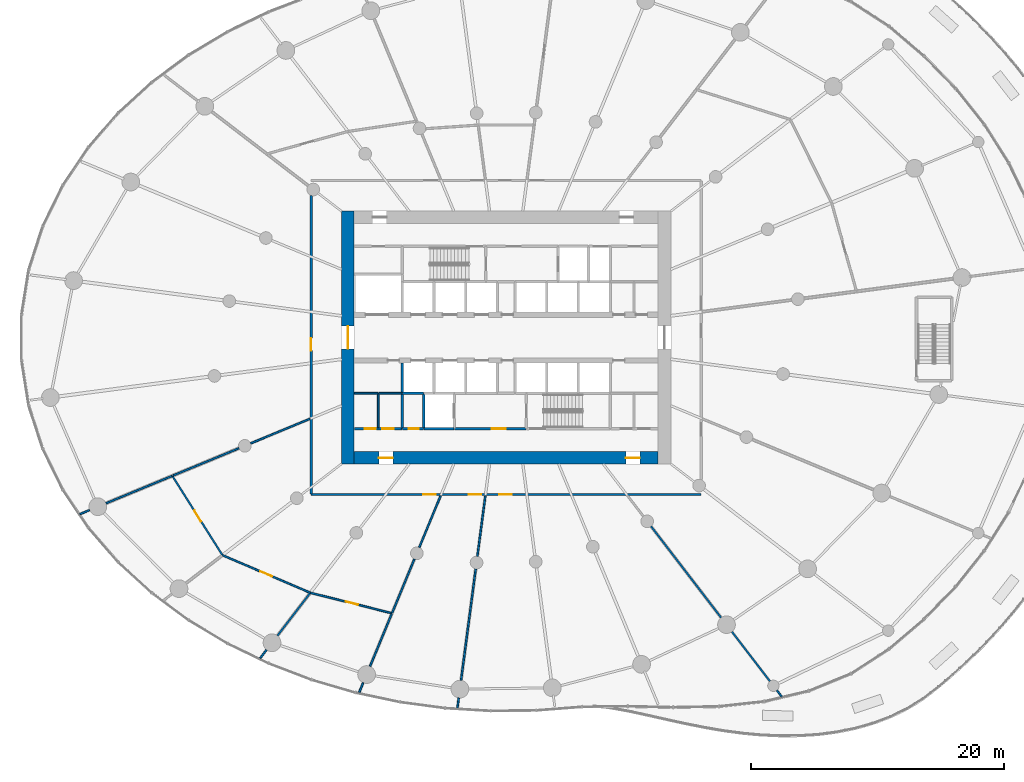
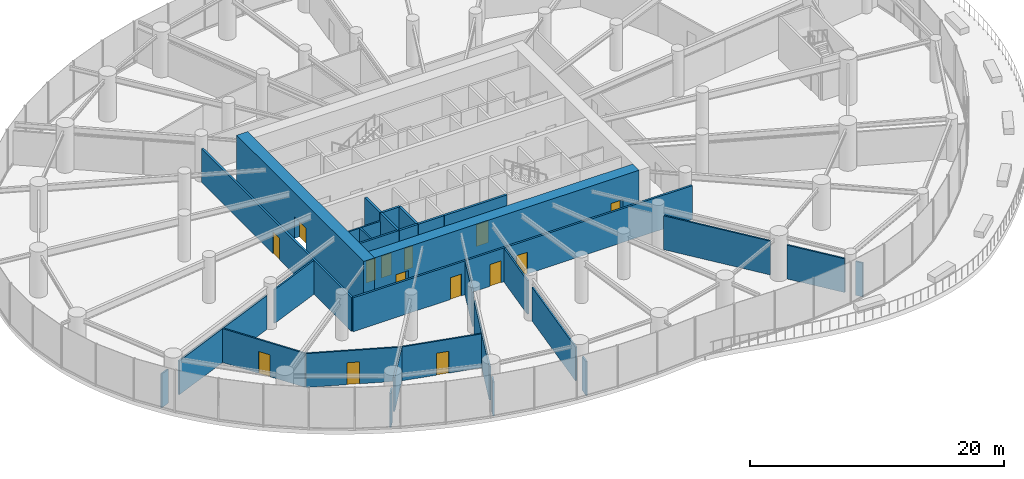
# One storey, part 11 of 19: 34 walls, 14 doors, 14 openings.
"""IFC4 building model written with IfcOpenShell, lengths in metres."""

from ifc_helpers import new_model, si_unit, direction, frame, frame_2d, origin, place, context, subcontext, project, spatial, rectangle, extrude, source, transform, mapped, material, layer, layer_set, type_object, element, fill, save


model = new_model("IFC4")

# Units and contexts
model_context = context("Model", 3, precision=1e-05, world=origin(), true_north=direction((0.0, 1.0)))
body_context = subcontext(model_context, "Body", "Model", "MODEL_VIEW")
ifc_project = project(units=[si_unit("LENGTHUNIT", "METRE"), si_unit("AREAUNIT", "SQUARE_METRE"), si_unit("VOLUMEUNIT", "CUBIC_METRE"), si_unit("PLANEANGLEUNIT", "RADIAN"), si_unit("MASSUNIT", "GRAM", prefix="KILO")], contexts=[model_context])

# Site, building, storey
site_placement = place(None, origin())
site = spatial("IfcSite", under=ifc_project, at=site_placement, CompositionType="ELEMENT")
building_placement = place(site_placement, origin())
building = spatial("IfcBuilding", under=site, at=building_placement, Name="Spindrift Exchange Tower", CompositionType="ELEMENT")
storey_placement = place(building_placement, frame((0.0, 0.0, 13.800048828125)))
storey = spatial("IfcBuildingStorey", under=building, at=storey_placement, Name="L03", CompositionType="ELEMENT", Elevation=13.800048828125)

# Wall, opening, door
ifc_material_1 = material(Name="Concrete 80 MPa", Category="concrete")
ifc_layer_1 = layer(ifc_material_1, 1.0)
ifc_layer_set_1 = layer_set([ifc_layer_1], Name="RC Core Wall 1000 Concrete 80 MPa")
wall_type_1 = type_object("IfcWallType", Name="RC Core Wall 1000 Concrete 80 MPa", PredefinedType="SHEAR", material=ifc_layer_set_1)
wall_1_placement = place(storey_placement, frame((39.5, 58.0, 0.0), z_axis=(0.0, 0.0, 1.0), x_axis=(0.0, -1.0, 0.0)))
wall_1 = element("IfcWall", 1, at=wall_1_placement, inside=storey, type_object=wall_type_1, Name="Core wall W L03", PredefinedType="SHEAR", context=body_context, shape_type="SweptSolid", body=[
    extrude(rectangle(XDim=20.0, YDim=1.0, at=frame_2d((10.0, 0.0))), origin(), (0.0, 0.0, 1.0), 4.39990234375),
])
opening_1_placement = place(wall_1_placement, frame((9.10009765625, 0.0, 0.0)))
opening_1 = element("IfcOpeningElement", 2, at=opening_1_placement, cuts=wall_1, Name="Opening L03-D1", PredefinedType="OPENING", context=body_context, shape_type="SweptSolid", body=[
    extrude(rectangle(XDim=1.800048828125, YDim=2.10009765625, at=frame_2d((0.89990234375, 1.050048828125))), frame((0.0, 0.510009765625, 0.0), z_axis=(0.0, -1.0, 0.0), x_axis=(1.0, 0.0, 0.0)), (0.0, 0.0, 1.0), 1.02001953125),
])
ifc_material_2 = material(Name="Timber-core fire door", Category="wood")
door_type_1 = type_object("IfcDoorType", Name="DR-LOBBY-1800", OperationType="NOTDEFINED", PredefinedType="DOOR", material=ifc_material_2)
shared_shape_1 = source(origin(), body_context, "Body", "SweptSolid", [
    extrude(rectangle(XDim=1.800048828125, YDim=2.10009765625, at=frame_2d((0.89990234375, 1.050048828125))), frame((0.0, 0.02490234375, 0.0), z_axis=(0.0, -1.0, 0.0), x_axis=(1.0, 0.0, 0.0)), (0.0, 0.0, 1.0), 0.050048828125),
])
door_1_placement = place(opening_1_placement, origin())
door_1 = element("IfcDoor", 3, at=door_1_placement, inside=storey, type_object=door_type_1, Name="L03 Lobby door 1", OperationType="SINGLE_SWING_LEFT", OverallHeight=2.10009765625, OverallWidth=1.800048828125, PredefinedType="DOOR", context=body_context, shape_type="MappedRepresentation", body=[
    mapped(shared_shape_1, transform((0.0, 0.0, 0.0), scale=1.0)),
])
fill(opening_1, door_1)

# Wall, openings, doors
wall_2_placement = place(storey_placement, frame((40.0, 38.5, 0.0), z_axis=(0.0, 0.0, 1.0), x_axis=(1.0, 0.0, 0.0)))
wall_2 = element("IfcWall", 4, at=wall_2_placement, inside=storey, type_object=wall_type_1, Name="Core wall S L03", PredefinedType="SHEAR", context=body_context, shape_type="SweptSolid", body=[
    extrude(rectangle(XDim=24.0, YDim=1.0, at=frame_2d((12.0, 0.0))), origin(), (0.0, 0.0, 1.0), 4.39990234375),
])
opening_2_placement = place(wall_2_placement, frame((21.449951171875, 0.0, 0.0)))
opening_2 = element("IfcOpeningElement", 5, at=opening_2_placement, cuts=wall_2, Name="Opening L03-D22", PredefinedType="OPENING", context=body_context, shape_type="SweptSolid", body=[
    extrude(rectangle(XDim=1.10009765625, YDim=2.10009765625, at=frame_2d((0.550048828125, 1.050048828125))), frame((0.0, 0.510009765625, 0.0), z_axis=(0.0, -1.0, 0.0), x_axis=(1.0, 0.0, 0.0)), (0.0, 0.0, 1.0), 1.02001953125),
])
opening_3_placement = place(wall_2_placement, frame((1.949951171875, 0.0, 0.0)))
opening_3 = element("IfcOpeningElement", 6, at=opening_3_placement, cuts=wall_2, Name="Opening L03-D23", PredefinedType="OPENING", context=body_context, shape_type="SweptSolid", body=[
    extrude(rectangle(XDim=1.10009765625, YDim=2.10009765625, at=frame_2d((0.550048828125, 1.050048828125))), frame((0.0, 0.510009765625, 0.0), z_axis=(0.0, -1.0, 0.0), x_axis=(1.0, 0.0, 0.0)), (0.0, 0.0, 1.0), 1.02001953125),
])
ifc_material_3 = material(Name="Steel fire door", Category="steel")
door_type_2 = type_object("IfcDoorType", Name="DR-STAIR-1100", OperationType="NOTDEFINED", PredefinedType="DOOR", material=ifc_material_3)
shared_shape_2 = source(origin(), body_context, "Body", "SweptSolid", [
    extrude(rectangle(XDim=1.10009765625, YDim=2.10009765625, at=frame_2d((0.550048828125, 1.050048828125))), frame((0.0, 0.02490234375, 0.0), z_axis=(0.0, -1.0, 0.0), x_axis=(1.0, 0.0, 0.0)), (0.0, 0.0, 1.0), 0.050048828125),
])
door_2_placement = place(opening_2_placement, origin())
door_2 = element("IfcDoor", 7, at=door_2_placement, inside=storey, type_object=door_type_2, Name="L03 Stair door 22", OperationType="SINGLE_SWING_RIGHT", OverallHeight=2.10009765625, OverallWidth=1.10009765625, PredefinedType="DOOR", context=body_context, shape_type="MappedRepresentation", body=[
    mapped(shared_shape_2, transform((0.0, 0.0, 0.0), scale=1.0)),
])
fill(opening_2, door_2)
door_3_placement = place(opening_3_placement, origin())
door_3 = element("IfcDoor", 8, at=door_3_placement, inside=storey, type_object=door_type_2, Name="L03 Stair door 23", OperationType="SINGLE_SWING_LEFT", OverallHeight=2.10009765625, OverallWidth=1.10009765625, PredefinedType="DOOR", context=body_context, shape_type="MappedRepresentation", body=[
    mapped(shared_shape_2, transform((0.0, 0.0, 0.0), scale=1.0)),
])
fill(opening_3, door_3)

ifc_material_4 = material(Name="Fire-rated plasterboard partition", Category="gypsum")
ifc_layer_2 = layer(ifc_material_4, 0.179931640625)
ifc_layer_set_2 = layer_set([ifc_layer_2], Name="W-CORR-180")
wall_type_2 = type_object("IfcWallType", Name="W-CORR-180", PredefinedType="PARTITIONING", material=ifc_layer_set_2)
wall_3_placement = place(storey_placement, frame((40.02001953125, 40.800048828125, 0.0), z_axis=(0.0, 0.0, 1.0), x_axis=(1.0, 0.0, 0.0)))
wall_3 = element("IfcWall", 9, at=wall_3_placement, inside=storey, type_object=wall_type_2, Name="L03 Partition wall 65", PredefinedType="PARTITIONING", context=body_context, shape_type="SweptSolid", body=[
    extrude(rectangle(XDim=3.75, YDim=0.179931640625, at=frame_2d((1.875, 0.0))), origin(), (0.0, 0.0, 1.0), 4.050048828125),
])
opening_4_placement = place(wall_3_placement, frame((0.800048828125, 0.0, 0.0)))
opening_4 = element("IfcOpeningElement", 10, at=opening_4_placement, cuts=wall_3, Name="Opening L03-D43", PredefinedType="OPENING", context=body_context, shape_type="SweptSolid", body=[
    extrude(rectangle(XDim=0.89990234375, YDim=2.10009765625, at=frame_2d((0.449951171875, 1.050048828125))), frame((0.0, 0.099853515625, 0.0), z_axis=(0.0, -1.0, 0.0), x_axis=(1.0, 0.0, 0.0)), (0.0, 0.0, 1.0), 0.199951171875),
])
opening_5_placement = place(wall_3_placement, frame((2.199951171875, 0.0, 0.0)))
opening_5 = element("IfcOpeningElement", 11, at=opening_5_placement, cuts=wall_3, Name="Opening L03-D44", PredefinedType="OPENING", context=body_context, shape_type="SweptSolid", body=[
    extrude(rectangle(XDim=0.89990234375, YDim=2.10009765625, at=frame_2d((0.449951171875, 1.050048828125))), frame((0.0, 0.099853515625, 0.0), z_axis=(0.0, -1.0, 0.0), x_axis=(1.0, 0.0, 0.0)), (0.0, 0.0, 1.0), 0.199951171875),
])
ifc_material_5 = material(Name="Steel access door", Category="steel")
door_type_3 = type_object("IfcDoorType", Name="DR-RISER-900", OperationType="NOTDEFINED", PredefinedType="DOOR", material=ifc_material_5)
shared_shape_3 = source(origin(), body_context, "Body", "SweptSolid", [
    extrude(rectangle(XDim=0.89990234375, YDim=2.10009765625, at=frame_2d((0.449951171875, 1.050048828125))), frame((0.0, 0.02490234375, 0.0), z_axis=(0.0, -1.0, 0.0), x_axis=(1.0, 0.0, 0.0)), (0.0, 0.0, 1.0), 0.050048828125),
])
door_4_placement = place(opening_4_placement, origin())
door_4 = element("IfcDoor", 12, at=door_4_placement, inside=storey, type_object=door_type_3, Name="L03 Riser door 43", OperationType="SINGLE_SWING_LEFT", OverallHeight=2.10009765625, OverallWidth=0.89990234375, PredefinedType="DOOR", context=body_context, shape_type="MappedRepresentation", body=[
    mapped(shared_shape_3, transform((0.0, 0.0, 0.0), scale=1.0)),
])
fill(opening_4, door_4)
door_5_placement = place(opening_5_placement, origin())
door_5 = element("IfcDoor", 13, at=door_5_placement, inside=storey, type_object=door_type_3, Name="L03 Riser door 44", OperationType="SINGLE_SWING_RIGHT", OverallHeight=2.10009765625, OverallWidth=0.89990234375, PredefinedType="DOOR", context=body_context, shape_type="MappedRepresentation", body=[
    mapped(shared_shape_3, transform((0.0, 0.0, 0.0), scale=1.0)),
])
fill(opening_5, door_5)

# Walls
ifc_layer_3 = layer(ifc_material_4, 0.139892578125)
ifc_layer_set_3 = layer_set([ifc_layer_3], Name="W-PART-140")
wall_type_3 = type_object("IfcWallType", Name="W-PART-140", PredefinedType="PARTITIONING", material=ifc_layer_set_3)
wall_4_placement = place(storey_placement, frame((63.44091796875, 33.08984375, 0.0), z_axis=(0.0, 0.0, 1.0), x_axis=(0.608770769454, -0.793346173028, 0.0)))
element("IfcWall", 14, at=wall_4_placement, inside=storey, type_object=wall_type_3, Name="L03 Partition wall 70", PredefinedType="PARTITIONING", context=body_context, shape_type="SweptSolid", body=[
    extrude(rectangle(XDim=9.0791015625, YDim=0.139892578125, at=frame_2d((4.53955078125, 0.0))), origin(), (0.0, 0.0, 1.0), 3.25),
])
wall_5_placement = place(storey_placement, frame((25.60791015625, 37.068115234375, 0.0), z_axis=(0.0, 0.0, 1.0), x_axis=(-0.92387741194, -0.382688551836, 0.0)))
element("IfcWall", 15, at=wall_5_placement, inside=storey, type_object=wall_type_3, Name="L03 Partition wall 85", PredefinedType="PARTITIONING", context=body_context, shape_type="SweptSolid", body=[
    extrude(rectangle(XDim=5.634521484375, YDim=0.139892578125, at=frame_2d((2.8173828125, 0.0))), origin(), (0.0, 0.0, 1.0), 3.25),
])
wall_6_placement = place(storey_placement, frame((69.8251953125, 24.76953125, 0.0), z_axis=(0.0, 0.0, 1.0), x_axis=(0.608785402697, -0.793334944058, 0.0)))
element("IfcWall", 16, at=wall_6_placement, inside=storey, type_object=wall_type_3, Name="L03 Partition wall 90", PredefinedType="PARTITIONING", context=body_context, shape_type="SweptSolid", body=[
    extrude(rectangle(XDim=4.923828125, YDim=0.139892578125, at=frame_2d((2.4619140625, 0.0))), origin(), (0.0, 0.0, 1.0), 3.25),
])
wall_7_placement = place(storey_placement, frame((36.490966796875, 27.7880859375, 0.0), z_axis=(0.0, 0.0, 1.0), x_axis=(-0.608788130652, -0.793332850686, 0.0)))
element("IfcWall", 17, at=wall_7_placement, inside=storey, type_object=wall_type_3, Name="L03 Partition wall 100", PredefinedType="PARTITIONING", context=body_context, shape_type="SweptSolid", body=[
    extrude(rectangle(XDim=4.1962890625, YDim=0.139892578125, at=frame_2d((2.09814453125, 0.0))), origin(), (0.0, 0.0, 1.0), 3.25),
])
wall_8_placement = place(storey_placement, frame((41.89990234375, 40.889892578125, 0.0), z_axis=(0.0, 0.0, 1.0), x_axis=(0.0, 1.0, 0.0)))
element("IfcWall", 18, at=wall_8_placement, inside=storey, type_object=wall_type_3, Name="L03 Partition wall 109", PredefinedType="PARTITIONING", context=body_context, shape_type="SweptSolid", body=[
    extrude(rectangle(XDim=2.710205078125, YDim=0.139892578125, at=frame_2d((1.35498046875, 0.0))), origin(), (0.0, 0.0, 1.0), 3.25),
])
wall_9_placement = place(storey_placement, frame((43.77001953125, 43.60009765625, 0.0), z_axis=(0.0, 0.0, 1.0), x_axis=(-1.0, 0.0, 0.0)))
element("IfcWall", 19, at=wall_9_placement, inside=storey, type_object=wall_type_3, Name="L03 Partition wall 113", PredefinedType="PARTITIONING", context=body_context, shape_type="SweptSolid", body=[
    extrude(rectangle(XDim=1.840087890625, YDim=0.139892578125, at=frame_2d((0.919921875, 0.0))), origin(), (0.0, 0.0, 1.0), 3.25),
])
wall_10_placement = place(storey_placement, frame((41.8701171875, 43.60009765625, 0.0), z_axis=(0.0, 0.0, 1.0), x_axis=(-1.0, 0.0, 0.0)))
element("IfcWall", 20, at=wall_10_placement, inside=storey, type_object=wall_type_3, Name="L03 Partition wall 116", PredefinedType="PARTITIONING", context=body_context, shape_type="SweptSolid", body=[
    extrude(rectangle(XDim=1.85009765625, YDim=0.139892578125, at=frame_2d((0.925048828125, 0.0))), origin(), (0.0, 0.0, 1.0), 3.25),
])
wall_11_placement = place(storey_placement, frame((33.0791015625, 23.341552734375, 0.0), z_axis=(0.0, 0.0, 1.0), x_axis=(-0.608939798959, -0.793216440351, 0.0)))
element("IfcWall", 21, at=wall_11_placement, inside=storey, type_object=wall_type_3, Name="L03 Partition wall 121", PredefinedType="PARTITIONING", context=body_context, shape_type="SweptSolid", body=[
    extrude(rectangle(XDim=0.82666015625, YDim=0.139892578125, at=frame_2d((0.413330078125, 0.0))), origin(), (0.0, 0.0, 1.0), 3.25),
])
wall_12_placement = place(storey_placement, frame((19.099853515625, 34.372314453125, 0.0), z_axis=(0.0, 0.0, 1.0), x_axis=(-0.923882954879, -0.382675169935, 0.0)))
element("IfcWall", 22, at=wall_12_placement, inside=storey, type_object=wall_type_3, Name="L03 Partition wall 122", PredefinedType="PARTITIONING", context=body_context, shape_type="SweptSolid", body=[
    extrude(rectangle(XDim=0.822265625, YDim=0.139892578125, at=frame_2d((0.4111328125, 0.0))), origin(), (0.0, 0.0, 1.0), 3.25),
])
wall_13_placement = place(storey_placement, frame((73.376220703125, 20.14208984375, 0.0), z_axis=(0.0, 0.0, 1.0), x_axis=(0.608538274095, -0.793524523226, 0.0)))
element("IfcWall", 23, at=wall_13_placement, inside=storey, type_object=wall_type_3, Name="L03 Partition wall 128", PredefinedType="PARTITIONING", context=body_context, shape_type="SweptSolid", body=[
    extrude(rectangle(XDim=0.624267578125, YDim=0.139892578125, at=frame_2d((0.31201171875, 0.0))), origin(), (0.0, 0.0, 1.0), 3.25),
])
ifc_layer_4 = layer(ifc_material_4, 0.139892578125)
ifc_layer_set_4 = layer_set([ifc_layer_4], Name="W-PLANT-140")
wall_type_4 = type_object("IfcWallType", Name="W-PLANT-140", PredefinedType="PARTITIONING", material=ifc_layer_set_4)
wall_14_placement = place(storey_placement, frame((49.594970703125, 29.732666015625, 0.0), z_axis=(0.0, 0.0, 1.0), x_axis=(-0.130521426482, -0.991445488783, 0.0)))
element("IfcWall", 24, at=wall_14_placement, inside=storey, type_object=wall_type_4, Name="L03 Partition wall 71", PredefinedType="PARTITIONING", context=body_context, shape_type="SweptSolid", body=[
    extrude(rectangle(XDim=8.871826171875, YDim=0.139892578125, at=frame_2d((4.43603515625, 0.0))), origin(), (0.0, 0.0, 1.0), 3.25),
])

# Wall, opening, door
wall_15_placement = place(storey_placement, frame((36.534912109375, 27.845458984375, 0.0), z_axis=(0.0, 0.0, 1.0), x_axis=(-0.919481175992, 0.393134031847, 0.0)))
wall_15 = element("IfcWall", 25, at=wall_15_placement, inside=storey, type_object=wall_type_4, Name="L03 Partition wall 76", PredefinedType="PARTITIONING", context=body_context, shape_type="SweptSolid", body=[
    extrude(rectangle(XDim=7.54345703125, YDim=0.139892578125, at=frame_2d((3.771728515625, 0.0))), origin(), (0.0, 0.0, 1.0), 3.25),
])
opening_6_placement = place(wall_15_placement, frame((3.29345703125, 0.0, 0.0)))
opening_6 = element("IfcOpeningElement", 26, at=opening_6_placement, cuts=wall_15, Name="Opening L03-D36", PredefinedType="OPENING", context=body_context, shape_type="SweptSolid", body=[
    extrude(rectangle(XDim=1.0, YDim=2.10009765625, at=frame_2d((0.5, 1.050048828125))), frame((0.0, 0.079833984375, 0.0), z_axis=(0.0, -1.0, 0.0), x_axis=(1.0, 0.0, 0.0)), (0.0, 0.0, 1.0), 0.159912109375),
])
door_type_4 = type_object("IfcDoorType", Name="DR-ROOM-1000", OperationType="NOTDEFINED", PredefinedType="DOOR", material=ifc_material_2)
shared_shape_4 = source(origin(), body_context, "Body", "SweptSolid", [
    extrude(rectangle(XDim=1.0, YDim=2.10009765625, at=frame_2d((0.5, 1.050048828125))), frame((0.0, 0.02490234375, 0.0), z_axis=(0.0, -1.0, 0.0), x_axis=(1.0, 0.0, 0.0)), (0.0, 0.0, 1.0), 0.050048828125),
])
door_6_placement = place(opening_6_placement, origin())
door_6 = element("IfcDoor", 27, at=door_6_placement, inside=storey, type_object=door_type_4, Name="L03 Door 36", OperationType="SINGLE_SWING_RIGHT", OverallHeight=2.10009765625, OverallWidth=1.0, PredefinedType="DOOR", context=body_context, shape_type="MappedRepresentation", body=[
    mapped(shared_shape_4, transform((0.0, 0.0, 0.0), scale=1.0)),
])
fill(opening_6, door_6)

wall_16_placement = place(storey_placement, frame((29.582763671875, 30.836181640625, 0.0), z_axis=(0.0, 0.0, 1.0), x_axis=(-0.534385893392, 0.845240626652, 0.0)))
wall_16 = element("IfcWall", 28, at=wall_16_placement, inside=storey, type_object=wall_type_4, Name="L03 Partition wall 77", PredefinedType="PARTITIONING", context=body_context, shape_type="SweptSolid", body=[
    extrude(rectangle(XDim=7.386474609375, YDim=0.139892578125, at=frame_2d((3.693359375, 0.0))), origin(), (0.0, 0.0, 1.0), 3.25),
])
opening_7_placement = place(wall_16_placement, frame((3.13623046875, 0.0, 0.0)))
opening_7 = element("IfcOpeningElement", 29, at=opening_7_placement, cuts=wall_16, Name="Opening L03-D35", PredefinedType="OPENING", context=body_context, shape_type="SweptSolid", body=[
    extrude(rectangle(XDim=1.0, YDim=2.10009765625, at=frame_2d((0.5, 1.050048828125))), frame((0.0, 0.079833984375, 0.0), z_axis=(0.0, -1.0, 0.0), x_axis=(1.0, 0.0, 0.0)), (0.0, 0.0, 1.0), 0.159912109375),
])
door_7_placement = place(opening_7_placement, origin())
door_7 = element("IfcDoor", 30, at=door_7_placement, inside=storey, type_object=door_type_4, Name="L03 Door 35", OperationType="SINGLE_SWING_LEFT", OverallHeight=2.10009765625, OverallWidth=1.0, PredefinedType="DOOR", context=body_context, shape_type="MappedRepresentation", body=[
    mapped(shared_shape_4, transform((0.0, 0.0, 0.0), scale=1.0)),
])
fill(opening_7, door_7)

wall_17_placement = place(storey_placement, frame((42.982666015625, 26.230224609375, 0.0), z_axis=(0.0, 0.0, 1.0), x_axis=(-0.970027362967, 0.242995710034, 0.0)))
wall_17 = element("IfcWall", 31, at=wall_17_placement, inside=storey, type_object=wall_type_4, Name="L03 Partition wall 83", PredefinedType="PARTITIONING", context=body_context, shape_type="SweptSolid", body=[
    extrude(rectangle(XDim=6.616943359375, YDim=0.139892578125, at=frame_2d((3.30859375, 0.0))), origin(), (0.0, 0.0, 1.0), 3.25),
])
opening_8_placement = place(wall_17_placement, frame((2.76708984375, 0.0, 0.0)))
opening_8 = element("IfcOpeningElement", 32, at=opening_8_placement, cuts=wall_17, Name="Opening L03-D37", PredefinedType="OPENING", context=body_context, shape_type="SweptSolid", body=[
    extrude(rectangle(XDim=1.0, YDim=2.10009765625, at=frame_2d((0.5, 1.050048828125))), frame((0.0, 0.079833984375, 0.0), z_axis=(0.0, -1.0, 0.0), x_axis=(1.0, 0.0, 0.0)), (0.0, 0.0, 1.0), 0.159912109375),
])
door_8_placement = place(opening_8_placement, origin())
door_8 = element("IfcDoor", 33, at=door_8_placement, inside=storey, type_object=door_type_4, Name="L03 Door 37", OperationType="SINGLE_SWING_LEFT", OverallHeight=2.10009765625, OverallWidth=1.0, PredefinedType="DOOR", context=body_context, shape_type="MappedRepresentation", body=[
    mapped(shared_shape_4, transform((0.0, 0.0, 0.0), scale=1.0)),
])
fill(opening_8, door_8)

# Walls
wall_18_placement = place(storey_placement, frame((30.89404296875, 39.2578125, 0.0), z_axis=(0.0, 0.0, 1.0), x_axis=(-0.923862765396, -0.382723909253, 0.0)))
element("IfcWall", 34, at=wall_18_placement, inside=storey, type_object=wall_type_4, Name="L03 Partition wall 84", PredefinedType="PARTITIONING", context=body_context, shape_type="SweptSolid", body=[
    extrude(rectangle(XDim=5.62060546875, YDim=0.139892578125, at=frame_2d((2.810302734375, 0.0))), origin(), (0.0, 0.0, 1.0), 3.25),
])
wall_19_placement = place(storey_placement, frame((36.510009765625, 41.583740234375, 0.0), z_axis=(0.0, 0.0, 1.0), x_axis=(-0.923890025086, -0.382658100067, 0.0)))
element("IfcWall", 35, at=wall_19_placement, inside=storey, type_object=wall_type_4, Name="L03 Partition wall 88", PredefinedType="PARTITIONING", context=body_context, shape_type="SweptSolid", body=[
    extrude(rectangle(XDim=5.068359375, YDim=0.139892578125, at=frame_2d((2.5341796875, 0.0))), origin(), (0.0, 0.0, 1.0), 3.25),
])
wall_20_placement = place(storey_placement, frame((50.355712890625, 35.510009765625, 0.0), z_axis=(0.0, 0.0, 1.0), x_axis=(-0.130523979823, -0.991445152639, 0.0)))
element("IfcWall", 36, at=wall_20_placement, inside=storey, type_object=wall_type_4, Name="L03 Partition wall 91", PredefinedType="PARTITIONING", context=body_context, shape_type="SweptSolid", body=[
    extrude(rectangle(XDim=4.818359375, YDim=0.139892578125, at=frame_2d((2.4091796875, 0.0))), origin(), (0.0, 0.0, 1.0), 3.25),
])
wall_21_placement = place(storey_placement, frame((44.752197265625, 30.502197265625, 0.0), z_axis=(0.0, 0.0, 1.0), x_axis=(-0.38269755953, -0.923873680721, 0.0)))
element("IfcWall", 37, at=wall_21_placement, inside=storey, type_object=wall_type_4, Name="L03 Partition wall 94", PredefinedType="PARTITIONING", context=body_context, shape_type="SweptSolid", body=[
    extrude(rectangle(XDim=4.59375, YDim=0.139892578125, at=frame_2d((2.296875, 0.0))), origin(), (0.0, 0.0, 1.0), 3.25),
])
wall_22_placement = place(storey_placement, frame((42.95556640625, 26.1650390625, 0.0), z_axis=(0.0, 0.0, 1.0), x_axis=(-0.382638321624, -0.923898216702, 0.0)))
element("IfcWall", 38, at=wall_22_placement, inside=storey, type_object=wall_type_4, Name="L03 Partition wall 95", PredefinedType="PARTITIONING", context=body_context, shape_type="SweptSolid", body=[
    extrude(rectangle(XDim=4.465087890625, YDim=0.139892578125, at=frame_2d((2.232421875, 0.0))), origin(), (0.0, 0.0, 1.0), 3.25),
])
wall_23_placement = place(storey_placement, frame((46.826416015625, 35.510009765625, 0.0), z_axis=(0.0, 0.0, 1.0), x_axis=(-0.382672831764, -0.923883923353, 0.0)))
element("IfcWall", 39, at=wall_23_placement, inside=storey, type_object=wall_type_4, Name="L03 Partition wall 96", PredefinedType="PARTITIONING", context=body_context, shape_type="SweptSolid", body=[
    extrude(rectangle(XDim=4.410400390625, YDim=0.139892578125, at=frame_2d((2.205078125, 0.0))), origin(), (0.0, 0.0, 1.0), 3.25),
])
wall_24_placement = place(storey_placement, frame((40.70751953125, 20.7373046875, 0.0), z_axis=(0.0, 0.0, 1.0), x_axis=(-0.382692107758, -0.923875938998, 0.0)))
element("IfcWall", 40, at=wall_24_placement, inside=storey, type_object=wall_type_4, Name="L03 Partition wall 123", PredefinedType="PARTITIONING", context=body_context, shape_type="SweptSolid", body=[
    extrude(rectangle(XDim=0.802490234375, YDim=0.139892578125, at=frame_2d((0.4013671875, 0.0))), origin(), (0.0, 0.0, 1.0), 3.25),
])
wall_25_placement = place(storey_placement, frame((48.253173828125, 19.540283203125, 0.0), z_axis=(0.0, 0.0, 1.0), x_axis=(-0.130598952658, -0.991435279564, 0.0)))
element("IfcWall", 41, at=wall_25_placement, inside=storey, type_object=wall_type_4, Name="L03 Partition wall 125", PredefinedType="PARTITIONING", context=body_context, shape_type="SweptSolid", body=[
    extrude(rectangle(XDim=0.787109375, YDim=0.139892578125, at=frame_2d((0.3935546875, 0.0))), origin(), (0.0, 0.0, 1.0), 3.25),
])

# Wall, openings, doors
ifc_layer_5 = layer(ifc_material_4, 0.179931640625)
ifc_layer_set_5 = layer_set([ifc_layer_5], Name="W-PLANT-180")
wall_type_5 = type_object("IfcWallType", Name="W-PLANT-180", PredefinedType="PARTITIONING", material=ifc_layer_set_5)
wall_26_placement = place(storey_placement, frame((67.39990234375, 35.60009765625, 0.0), z_axis=(0.0, 0.0, 1.0), x_axis=(-1.0, 0.0, 0.0)))
wall_26 = element("IfcWall", 42, at=wall_26_placement, inside=storey, type_object=wall_type_5, Name="L03 Partition wall 61", PredefinedType="PARTITIONING", context=body_context, shape_type="SweptSolid", body=[
    extrude(rectangle(XDim=30.7998046875, YDim=0.179931640625, at=frame_2d((15.39990234375, 0.0))), origin(), (0.0, 0.0, 1.0), 3.25),
])
opening_9_placement = place(wall_26_placement, frame((20.949951171875, 0.0, 0.0)))
opening_9 = element("IfcOpeningElement", 43, at=opening_9_placement, cuts=wall_26, Name="Opening L03-D34", PredefinedType="OPENING", context=body_context, shape_type="SweptSolid", body=[
    extrude(rectangle(XDim=1.0, YDim=2.10009765625, at=frame_2d((0.5, 1.050048828125))), frame((0.0, 0.099853515625, 0.0), z_axis=(0.0, -1.0, 0.0), x_axis=(1.0, 0.0, 0.0)), (0.0, 0.0, 1.0), 0.199951171875),
])
opening_10_placement = place(wall_26_placement, frame((17.35009765625, 0.0, 0.0)))
opening_10 = element("IfcOpeningElement", 44, at=opening_10_placement, cuts=wall_26, Name="Opening L03-D38", PredefinedType="OPENING", context=body_context, shape_type="SweptSolid", body=[
    extrude(rectangle(XDim=1.0, YDim=2.10009765625, at=frame_2d((0.5, 1.050048828125))), frame((0.0, 0.099853515625, 0.0), z_axis=(0.0, -1.0, 0.0), x_axis=(1.0, 0.0, 0.0)), (0.0, 0.0, 1.0), 0.199951171875),
])
opening_11_placement = place(wall_26_placement, frame((14.949951171875, 0.0, 0.0)))
opening_11 = element("IfcOpeningElement", 45, at=opening_11_placement, cuts=wall_26, Name="Opening L03-D39", PredefinedType="OPENING", context=body_context, shape_type="SweptSolid", body=[
    extrude(rectangle(XDim=1.0, YDim=2.10009765625, at=frame_2d((0.5, 1.050048828125))), frame((0.0, 0.099853515625, 0.0), z_axis=(0.0, -1.0, 0.0), x_axis=(1.0, 0.0, 0.0)), (0.0, 0.0, 1.0), 0.199951171875),
])
door_9_placement = place(opening_9_placement, origin())
door_9 = element("IfcDoor", 46, at=door_9_placement, inside=storey, type_object=door_type_4, Name="L03 Door 34", OperationType="SINGLE_SWING_RIGHT", OverallHeight=2.10009765625, OverallWidth=1.0, PredefinedType="DOOR", context=body_context, shape_type="MappedRepresentation", body=[
    mapped(shared_shape_4, transform((0.0, 0.0, 0.0), scale=1.0)),
])
fill(opening_9, door_9)
door_10_placement = place(opening_10_placement, origin())
door_10 = element("IfcDoor", 47, at=door_10_placement, inside=storey, type_object=door_type_4, Name="L03 Door 38", OperationType="SINGLE_SWING_RIGHT", OverallHeight=2.10009765625, OverallWidth=1.0, PredefinedType="DOOR", context=body_context, shape_type="MappedRepresentation", body=[
    mapped(shared_shape_4, transform((0.0, 0.0, 0.0), scale=1.0)),
])
fill(opening_10, door_10)
door_11_placement = place(opening_11_placement, origin())
door_11 = element("IfcDoor", 48, at=door_11_placement, inside=storey, type_object=door_type_4, Name="L03 Door 39", OperationType="SINGLE_SWING_LEFT", OverallHeight=2.10009765625, OverallWidth=1.0, PredefinedType="DOOR", context=body_context, shape_type="MappedRepresentation", body=[
    mapped(shared_shape_4, transform((0.0, 0.0, 0.0), scale=1.0)),
])
fill(opening_11, door_11)

# Wall, opening, door
wall_27_placement = place(storey_placement, frame((36.60009765625, 35.6298828125, 0.0), z_axis=(0.0, 0.0, 1.0), x_axis=(0.0, 1.0, 0.0)))
wall_27 = element("IfcWall", 49, at=wall_27_placement, inside=storey, type_object=wall_type_5, Name="L03 Partition wall 64", PredefinedType="PARTITIONING", context=body_context, shape_type="SweptSolid", body=[
    extrude(rectangle(XDim=23.58251953125, YDim=0.179931640625, at=frame_2d((11.791259765625, 0.0))), origin(), (0.0, 0.0, 1.0), 3.25),
])
opening_12_placement = place(wall_27_placement, frame((11.33251953125, 0.0, 0.0)))
opening_12 = element("IfcOpeningElement", 50, at=opening_12_placement, cuts=wall_27, Name="Opening L03-D33", PredefinedType="OPENING", context=body_context, shape_type="SweptSolid", body=[
    extrude(rectangle(XDim=1.0, YDim=2.10009765625, at=frame_2d((0.5, 1.050048828125))), frame((0.0, 0.099853515625, 0.0), z_axis=(0.0, -1.0, 0.0), x_axis=(1.0, 0.0, 0.0)), (0.0, 0.0, 1.0), 0.199951171875),
])
door_12_placement = place(opening_12_placement, origin())
door_12 = element("IfcDoor", 51, at=door_12_placement, inside=storey, type_object=door_type_4, Name="L03 Door 33", OperationType="SINGLE_SWING_LEFT", OverallHeight=2.10009765625, OverallWidth=1.0, PredefinedType="DOOR", context=body_context, shape_type="MappedRepresentation", body=[
    mapped(shared_shape_4, transform((0.0, 0.0, 0.0), scale=1.0)),
])
fill(opening_12, door_12)

# Walls
ifc_material_6 = material(Name="Concrete 40 MPa", Category="concrete")
ifc_layer_6 = layer(ifc_material_6, 0.199951171875)
ifc_layer_set_6 = layer_set([ifc_layer_6], Name="W-SHAFT-200")
wall_type_6 = type_object("IfcWallType", Name="W-SHAFT-200", PredefinedType="SOLIDWALL", material=ifc_layer_set_6)
for number, where, z_axis, x_axis, name in (
    (52, (43.800048828125, 43.60009765625, 0.0), (0.0, 0.0, 1.0), (0.0, -1.0, 0.0), "L03 Shaft wall 8"),
    (53, (45.5, 43.60009765625, 0.0), (0.0, 0.0, 1.0), (0.0, -1.0, 0.0), "L03 Shaft wall 9"),
):
    element("IfcWall", number, at=place(storey_placement, frame(where, z_axis=z_axis, x_axis=x_axis)), inside=storey, type_object=wall_type_6, Name=name, PredefinedType="SOLIDWALL", context=body_context, shape_type="SweptSolid", body=[
        extrude(rectangle(XDim=2.800048828125, YDim=0.199951171875, at=frame_2d((1.39990234375, 0.0))), origin(), (0.0, 0.0, 1.0), 4.050048828125),
    ])
wall_28_placement = place(storey_placement, frame((45.530029296875, 40.800048828125, 0.0), z_axis=(0.0, 0.0, 1.0), x_axis=(1.0, 0.0, 0.0)))
element("IfcWall", 54, at=wall_28_placement, inside=storey, type_object=wall_type_6, Name="L03 Shaft wall 25", PredefinedType="SOLIDWALL", context=body_context, shape_type="SweptSolid", body=[
    extrude(rectangle(XDim=2.340087890625, YDim=0.199951171875, at=frame_2d((1.169921875, 0.0))), origin(), (0.0, 0.0, 1.0), 4.050048828125),
])
wall_29_placement = place(storey_placement, frame((43.800048828125, 45.989990234375, 0.0), z_axis=(0.0, 0.0, 1.0), x_axis=(0.0, -1.0, 0.0)))
element("IfcWall", 55, at=wall_29_placement, inside=storey, type_object=wall_type_6, Name="L03 Shaft wall 27", PredefinedType="SOLIDWALL", context=body_context, shape_type="SweptSolid", body=[
    extrude(rectangle(XDim=2.360107421875, YDim=0.199951171875, at=frame_2d((1.18017578125, 0.0))), origin(), (0.0, 0.0, 1.0), 4.050048828125),
])
wall_30_placement = place(storey_placement, frame((43.830078125, 43.60009765625, 0.0), z_axis=(0.0, 0.0, 1.0), x_axis=(1.0, 0.0, 0.0)))
element("IfcWall", 56, at=wall_30_placement, inside=storey, type_object=wall_type_6, Name="L03 Shaft wall 44", PredefinedType="SOLIDWALL", context=body_context, shape_type="SweptSolid", body=[
    extrude(rectangle(XDim=1.639892578125, YDim=0.199951171875, at=frame_2d((0.81982421875, 0.0))), origin(), (0.0, 0.0, 1.0), 4.050048828125),
])

# Wall, opening, door
wall_31_placement = place(storey_placement, frame((43.830078125, 40.800048828125, 0.0), z_axis=(0.0, 0.0, 1.0), x_axis=(1.0, 0.0, 0.0)))
wall_31 = element("IfcWall", 57, at=wall_31_placement, inside=storey, type_object=wall_type_6, Name="L03 Shaft wall 45", PredefinedType="SOLIDWALL", context=body_context, shape_type="SweptSolid", body=[
    extrude(rectangle(XDim=1.639892578125, YDim=0.199951171875, at=frame_2d((0.81982421875, 0.0))), origin(), (0.0, 0.0, 1.0), 4.050048828125),
])
opening_13_placement = place(wall_31_placement, frame((0.469970703125, 0.0, 0.0)))
opening_13 = element("IfcOpeningElement", 58, at=opening_13_placement, cuts=wall_31, Name="Opening L03-D19", PredefinedType="OPENING", context=body_context, shape_type="SweptSolid", body=[
    extrude(rectangle(XDim=0.800048828125, YDim=2.10009765625, at=frame_2d((0.39990234375, 1.050048828125))), frame((0.0, 0.10986328125, 0.0), z_axis=(0.0, -1.0, 0.0), x_axis=(1.0, 0.0, 0.0)), (0.0, 0.0, 1.0), 0.219970703125),
])
door_type_5 = type_object("IfcDoorType", Name="DR-RISER-800", OperationType="NOTDEFINED", PredefinedType="DOOR", material=ifc_material_5)
shared_shape_5 = source(origin(), body_context, "Body", "SweptSolid", [
    extrude(rectangle(XDim=0.800048828125, YDim=2.10009765625, at=frame_2d((0.39990234375, 1.050048828125))), frame((0.0, 0.02490234375, 0.0), z_axis=(0.0, -1.0, 0.0), x_axis=(1.0, 0.0, 0.0)), (0.0, 0.0, 1.0), 0.050048828125),
])
door_13_placement = place(opening_13_placement, origin())
door_13 = element("IfcDoor", 59, at=door_13_placement, inside=storey, type_object=door_type_5, Name="L03 Riser door 19", OperationType="SINGLE_SWING_LEFT", OverallHeight=2.10009765625, OverallWidth=0.800048828125, PredefinedType="DOOR", context=body_context, shape_type="MappedRepresentation", body=[
    mapped(shared_shape_5, transform((0.0, 0.0, 0.0), scale=1.0)),
])
fill(opening_13, door_13)

ifc_layer_7 = layer(ifc_material_6, 0.199951171875)
ifc_layer_set_7 = layer_set([ifc_layer_7], Name="W-SHAFT-200-LB")
wall_type_7 = type_object("IfcWallType", Name="W-SHAFT-200-LB", PredefinedType="SOLIDWALL", material=ifc_layer_set_7)
wall_32_placement = place(storey_placement, frame((47.89990234375, 40.800048828125, 0.0), z_axis=(0.0, 0.0, 1.0), x_axis=(1.0, 0.0, 0.0)))
wall_32 = element("IfcWall", 60, at=wall_32_placement, inside=storey, type_object=wall_type_7, Name="L03 Shaft wall 5", PredefinedType="SOLIDWALL", context=body_context, shape_type="SweptSolid", body=[
    extrude(rectangle(XDim=5.670166015625, YDim=0.199951171875, at=frame_2d((2.8349609375, 0.0))), origin(), (0.0, 0.0, 1.0), 4.050048828125),
])
opening_14_placement = place(wall_32_placement, frame((2.949951171875, 0.0, 0.0)))
opening_14 = element("IfcOpeningElement", 61, at=opening_14_placement, cuts=wall_32, Name="Opening L03-D18", PredefinedType="OPENING", context=body_context, shape_type="SweptSolid", body=[
    extrude(rectangle(XDim=1.10009765625, YDim=2.10009765625, at=frame_2d((0.550048828125, 1.050048828125))), frame((0.0, 0.10986328125, 0.0), z_axis=(0.0, -1.0, 0.0), x_axis=(1.0, 0.0, 0.0)), (0.0, 0.0, 1.0), 0.219970703125),
])
door_type_6 = type_object("IfcDoorType", Name="DR-LOBBY-1100", OperationType="NOTDEFINED", PredefinedType="DOOR", material=ifc_material_2)
shared_shape_6 = source(origin(), body_context, "Body", "SweptSolid", [
    extrude(rectangle(XDim=1.10009765625, YDim=2.10009765625, at=frame_2d((0.550048828125, 1.050048828125))), frame((0.0, 0.02490234375, 0.0), z_axis=(0.0, -1.0, 0.0), x_axis=(1.0, 0.0, 0.0)), (0.0, 0.0, 1.0), 0.050048828125),
])
door_14_placement = place(opening_14_placement, origin())
door_14 = element("IfcDoor", 62, at=door_14_placement, inside=storey, type_object=door_type_6, Name="L03 Lobby door 18", OperationType="SINGLE_SWING_RIGHT", OverallHeight=2.10009765625, OverallWidth=1.10009765625, PredefinedType="DOOR", context=body_context, shape_type="MappedRepresentation", body=[
    mapped(shared_shape_6, transform((0.0, 0.0, 0.0), scale=1.0)),
])
fill(opening_14, door_14)

save(model, "model.ifc")
